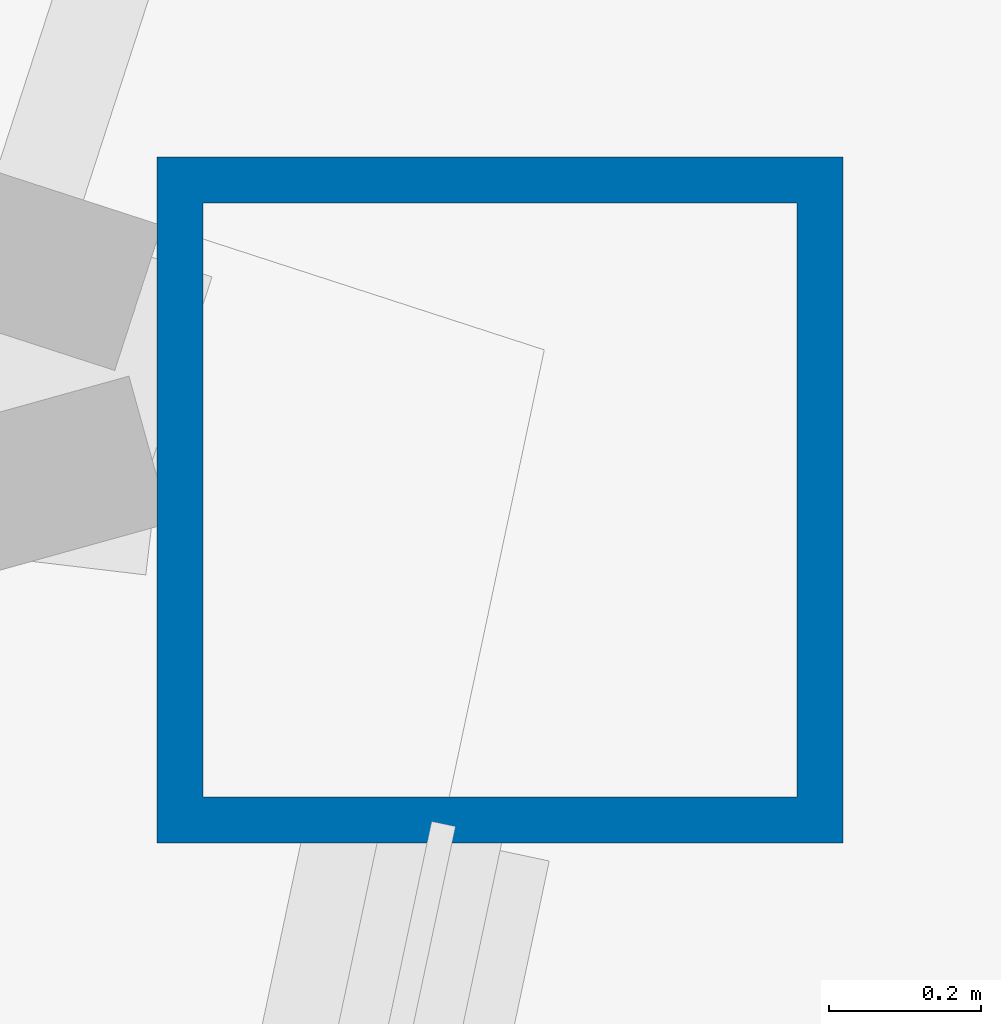
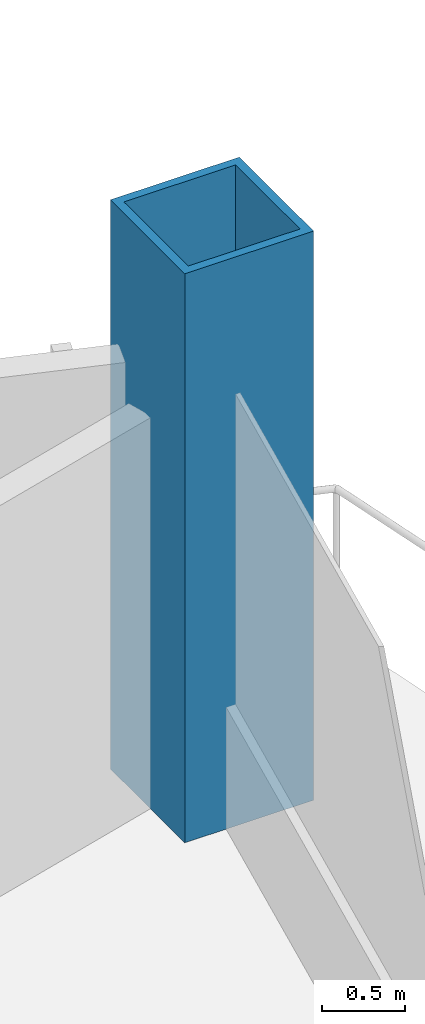
# One storey, part 2 of 21: 1 column.
"""IFC4 building model written with IfcOpenShell, lengths in metres."""

from ifc_helpers import new_model, si_unit, direction, frame, origin, origin_2d, place, context, subcontext, project, spatial, hollow_rectangle, extrude, material, material_profile, profile_set, type_object, element, save


model = new_model("IFC4")

# Units and contexts
model_context = context("Model", 3, precision=1e-05, world=origin(), true_north=direction((0.0, 1.0)))
body_context = subcontext(model_context, "Body", "Model", "MODEL_VIEW")
ifc_project = project(units=[si_unit("LENGTHUNIT", "METRE"), si_unit("AREAUNIT", "SQUARE_METRE"), si_unit("VOLUMEUNIT", "CUBIC_METRE"), si_unit("PLANEANGLEUNIT", "RADIAN"), si_unit("MASSUNIT", "GRAM", prefix="KILO")], contexts=[model_context])

# Site, building, storey
site_placement = place(None, origin())
site = spatial("IfcSite", under=ifc_project, at=site_placement, CompositionType="ELEMENT")
building_placement = place(site_placement, origin())
building = spatial("IfcBuilding", under=site, at=building_placement, Name="Cormorant Prow Tower", CompositionType="ELEMENT")
storey_placement = place(building_placement, frame((0.0, 0.0, 137.39990234375)))
storey = spatial("IfcBuildingStorey", under=building, at=storey_placement, Name="L29", CompositionType="ELEMENT", Elevation=137.39990234375)

# Column
ifc_material = material(Name="Structural steel ASTM A572 Gr 50", Category="steel")
ifc_material_profile = material_profile(ifc_material, hollow_rectangle(XDim=0.89990234375, YDim=0.89990234375, WallThickness=0.06005859375, at=origin_2d()), Name="Box 900x900x60")
ifc_profile_set = profile_set([ifc_material_profile], Name="Structural steel ASTM A572 Gr 50")
column_type = type_object("IfcColumnType", Name="Perimeter box column 900x900x60", PredefinedType="COLUMN", material=ifc_profile_set)
column_placement = place(storey_placement, frame((32.1962890625, -4.967041015625, 0.0), z_axis=(0.0, 0.0, 1.0), x_axis=(1.0, 0.0, 0.0)))
element("IfcColumn", 1, at=column_placement, inside=storey, type_object=column_type, Name="Perimeter column C3 at ENE01 L29", PredefinedType="COLUMN", context=body_context, shape_type="SweptSolid", body=[
    extrude(hollow_rectangle(XDim=0.89990234375, YDim=0.89990234375, WallThickness=0.06005859375, at=origin_2d()), origin(), (0.0, 0.0, 1.0), 4.2001953125),
])

save(model, "model.ifc")
